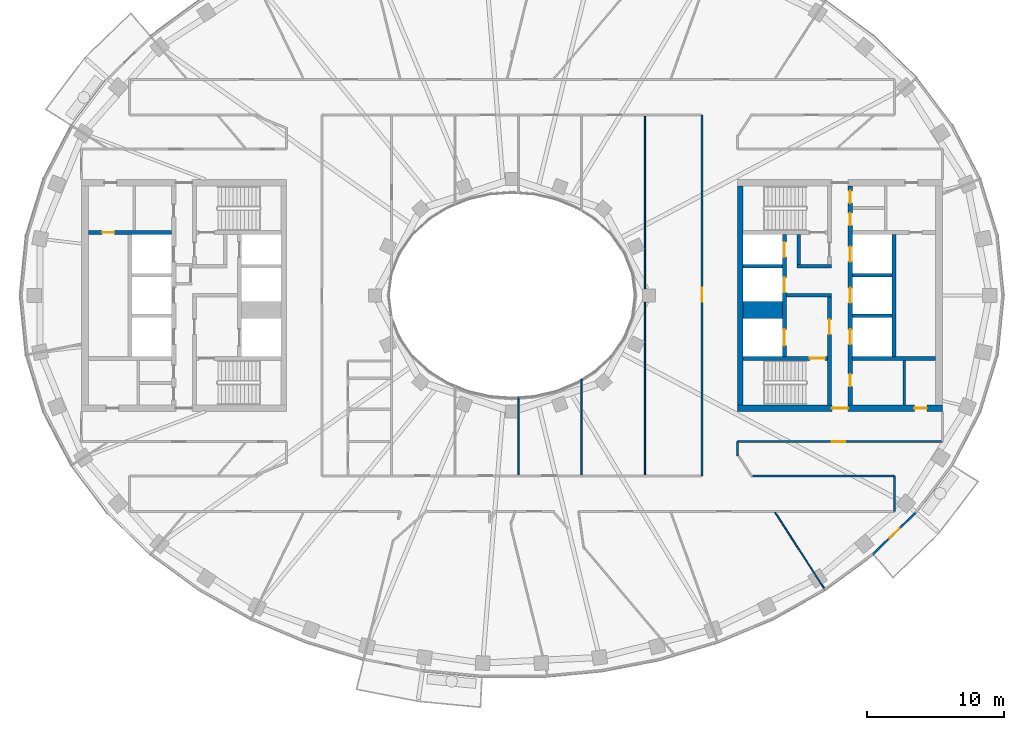
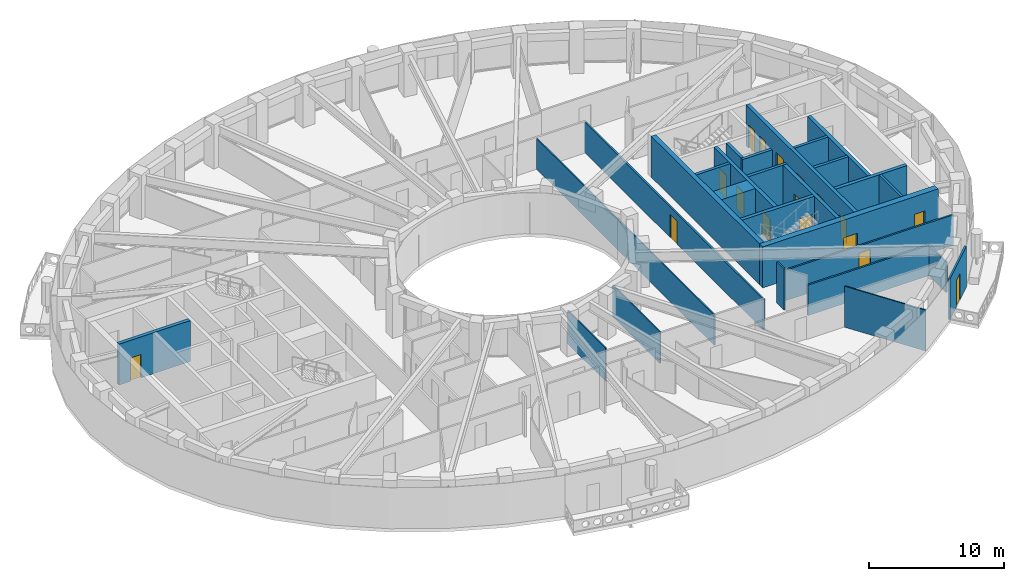
# One storey, part 5 of 16: 27 walls, 17 doors, 17 openings.
"""IFC4 building model written with IfcOpenShell, lengths in metres."""

from ifc_helpers import new_model, si_unit, direction, frame, frame_2d, origin, place, context, subcontext, project, spatial, rectangle, extrude, material, layer, layer_set, type_object, element, fill, save


model = new_model("IFC4")

# Units and contexts
model_context = context("Model", 3, precision=1e-05, world=origin(), true_north=direction((0.0, 1.0)))
body_context = subcontext(model_context, "Body", "Model", "MODEL_VIEW")
ifc_project = project(units=[si_unit("LENGTHUNIT", "METRE"), si_unit("AREAUNIT", "SQUARE_METRE"), si_unit("VOLUMEUNIT", "CUBIC_METRE"), si_unit("PLANEANGLEUNIT", "RADIAN"), si_unit("MASSUNIT", "GRAM", prefix="KILO")], contexts=[model_context])

# Site, building, storey
site_placement = place(None, origin())
site = spatial("IfcSite", under=ifc_project, at=site_placement, CompositionType="ELEMENT")
building_placement = place(site_placement, origin())
building = spatial("IfcBuilding", under=site, at=building_placement, Name="Noorbagh Ring Tower", CompositionType="ELEMENT")
storey_placement = place(building_placement, frame((0.0, 0.0, 273.5)))
storey = spatial("IfcBuildingStorey", under=building, at=storey_placement, Name="L58", CompositionType="ELEMENT", Elevation=273.5)

# Walls
ifc_material_1 = material(Name="Gypsum board on steel studs", Category="steel")
ifc_layer_1 = layer(ifc_material_1, 0.199951171875)
ifc_layer_set_1 = layer_set([ifc_layer_1], Name="Gypsum board on steel studs")
wall_type_1 = type_object("IfcWallType", Name="CORE-PARTITION-200", PredefinedType="PARTITIONING", material=ifc_layer_set_1)
wall_1_placement = place(storey_placement, frame((28.699951171875, -8.0, 0.0), z_axis=(0.0, 0.0, 1.0), x_axis=(0.0, 1.0, 0.0)))
element("IfcWall", 1, at=wall_1_placement, inside=storey, type_object=wall_type_1, Name="Core partition E", PredefinedType="PARTITIONING", context=body_context, shape_type="SweptSolid", body=[
    extrude(rectangle(XDim=3.25, YDim=0.199951171875, at=frame_2d((1.625, 0.0))), origin(), (0.0, 0.0, 1.0), 3.699951171875),
])
ifc_material_2 = material(Name="Concrete C60/75", Category="concrete")
ifc_layer_2 = layer(ifc_material_2, 1.25)
ifc_layer_set_2 = layer_set([ifc_layer_2], Name="Concrete C60/75")
wall_type_2 = type_object("IfcWallType", Name="CORE-WALL-1250-C60-75-EI120", PredefinedType="SHEAR", material=ifc_layer_set_2)
wall_2_placement = place(storey_placement, frame((16.89990234375, -1.074951171875, 0.0), z_axis=(0.0, 0.0, 1.0), x_axis=(1.0, 0.0, 0.0)))
element("IfcWall", 2, at=wall_2_placement, inside=storey, type_object=wall_type_2, Name="Core wall E", PredefinedType="SHEAR", context=body_context, shape_type="SweptSolid", body=[
    extrude(rectangle(XDim=2.900146484375, YDim=1.25, at=frame_2d((1.4501953125, 0.0))), origin(), (0.0, 0.0, 1.0), 3.699951171875),
])
ifc_material_3 = material(Name="Concrete C60/75", Category="concrete")
ifc_layer_3 = layer(ifc_material_3, 0.25)
ifc_layer_set_3 = layer_set([ifc_layer_3], Name="Concrete C60/75")
wall_type_3 = type_object("IfcWallType", Name="CORE-WALL-250-C60-75-EI120", PredefinedType="SHEAR", material=ifc_layer_set_3)
for number, where, z_axis, x_axis, name in (
    (3, (16.89990234375, 2.125, 0.0), (0.0, 0.0, 1.0), (1.0, 0.0, 0.0), "Core wall E"),
    (4, (24.89990234375, -1.47509765625, 0.0), (0.0, 0.0, 1.0), (1.0, 0.0, 0.0), "Core wall E"),
    (5, (24.89990234375, 1.47509765625, 0.0), (0.0, 0.0, 1.0), (1.0, 0.0, 0.0), "Core wall E"),
):
    element("IfcWall", number, at=place(storey_placement, frame(where, z_axis=z_axis, x_axis=x_axis)), inside=storey, type_object=wall_type_3, Name=name, PredefinedType="SHEAR", context=body_context, shape_type="SweptSolid", body=[
        extrude(rectangle(XDim=2.900146484375, YDim=0.25, at=frame_2d((1.4501953125, 0.0))), origin(), (0.0, 0.0, 1.0), 3.699951171875),
    ])
ifc_material_4 = material(Name="Concrete C60/75", Category="concrete")
ifc_layer_4 = layer(ifc_material_4, 0.25)
ifc_layer_set_4 = layer_set([ifc_layer_4], Name="Concrete C60/75")
wall_type_4 = type_object("IfcWallType", Name="CORE-WALL-250-C60-75-EI240", PredefinedType="SHEAR", material=ifc_layer_set_4)
wall_3_placement = place(storey_placement, frame((20.10009765625, 0.0, 0.0), z_axis=(0.0, 0.0, 1.0), x_axis=(1.0, 0.0, 0.0)))
element("IfcWall", 6, at=wall_3_placement, inside=storey, type_object=wall_type_4, Name="Core wall E", PredefinedType="SHEAR", context=body_context, shape_type="SweptSolid", body=[
    extrude(rectangle(XDim=3.27978515625, YDim=0.25, at=frame_2d((1.639892578125, 0.0))), origin(), (0.0, 0.0, 1.0), 3.699951171875),
])
wall_4_placement = place(storey_placement, frame((20.85009765625, 2.125, 0.0), z_axis=(0.0, 0.0, 1.0), x_axis=(1.0, 0.0, 0.0)))
element("IfcWall", 7, at=wall_4_placement, inside=storey, type_object=wall_type_4, Name="Core wall E", PredefinedType="SHEAR", context=body_context, shape_type="SweptSolid", body=[
    extrude(rectangle(XDim=2.52978515625, YDim=0.25, at=frame_2d((1.264892578125, 0.0))), origin(), (0.0, 0.0, 1.0), 3.699951171875),
])
wall_5_placement = place(storey_placement, frame((20.97509765625, 2.25, 0.0), z_axis=(0.0, 0.0, 1.0), x_axis=(0.0, 1.0, 0.0)))
element("IfcWall", 8, at=wall_5_placement, inside=storey, type_object=wall_type_4, Name="Core wall E", PredefinedType="SHEAR", context=body_context, shape_type="SweptSolid", body=[
    extrude(rectangle(XDim=2.199951171875, YDim=0.25, at=frame_2d((1.10009765625, 0.0))), origin(), (0.0, 0.0, 1.0), 3.699951171875),
])
ifc_material_5 = material(Name="Concrete C60/75", Category="concrete")
ifc_layer_5 = layer(ifc_material_5, 0.300048828125)
ifc_layer_set_5 = layer_set([ifc_layer_5], Name="Concrete C60/75")
wall_type_5 = type_object("IfcWallType", Name="CORE-WALL-300-C60-75-EI120", PredefinedType="SHEAR", material=ifc_layer_set_5)
wall_6_placement = place(storey_placement, frame((27.949951171875, -4.449951171875, 0.0), z_axis=(0.0, 0.0, 1.0), x_axis=(0.0, 1.0, 0.0)))
element("IfcWall", 9, at=wall_6_placement, inside=storey, type_object=wall_type_5, Name="Core wall E", PredefinedType="SHEAR", context=body_context, shape_type="SweptSolid", body=[
    extrude(rectangle(XDim=8.89990234375, YDim=0.300048828125, at=frame_2d((4.449951171875, 0.0))), origin(), (0.0, 0.0, 1.0), 3.699951171875),
])

# Wall, openings, doors
wall_7_placement = place(storey_placement, frame((19.949951171875, -4.449951171875, 0.0), z_axis=(0.0, 0.0, 1.0), x_axis=(0.0, 1.0, 0.0)))
wall_7 = element("IfcWall", 10, at=wall_7_placement, inside=storey, type_object=wall_type_5, Name="Core wall E", PredefinedType="SHEAR", context=body_context, shape_type="SweptSolid", body=[
    extrude(rectangle(XDim=8.89990234375, YDim=0.300048828125, at=frame_2d((4.449951171875, 0.0))), origin(), (0.0, 0.0, 1.0), 3.699951171875),
])
opening_1_placement = place(wall_7_placement, frame((0.77490234375, 0.0, 0.0)))
opening_1 = element("IfcOpeningElement", 11, at=opening_1_placement, cuts=wall_7, Name="Opening L58-CE01", PredefinedType="OPENING", context=body_context, shape_type="SweptSolid", body=[
    extrude(rectangle(XDim=1.199951171875, YDim=2.10009765625, at=frame_2d((0.60009765625, 1.050048828125))), frame((0.0, 0.16015625, 0.0), z_axis=(0.0, -1.0, 0.0), x_axis=(1.0, 0.0, 0.0)), (0.0, 0.0, 1.0), 0.320068359375),
])
opening_2_placement = place(wall_7_placement, frame((4.675048828125, 0.0, 0.0)))
opening_2 = element("IfcOpeningElement", 12, at=opening_2_placement, cuts=wall_7, Name="Opening L58-CE02", PredefinedType="OPENING", context=body_context, shape_type="SweptSolid", body=[
    extrude(rectangle(XDim=1.10009765625, YDim=2.10009765625, at=frame_2d((0.550048828125, 1.050048828125))), frame((0.0, 0.16015625, 0.0), z_axis=(0.0, -1.0, 0.0), x_axis=(1.0, 0.0, 0.0)), (0.0, 0.0, 1.0), 0.320068359375),
])
opening_3_placement = place(wall_7_placement, frame((7.25, 0.0, 0.0)))
opening_3 = element("IfcOpeningElement", 13, at=opening_3_placement, cuts=wall_7, Name="Opening L58-CE03", PredefinedType="OPENING", context=body_context, shape_type="SweptSolid", body=[
    extrude(rectangle(XDim=1.10009765625, YDim=2.10009765625, at=frame_2d((0.550048828125, 1.050048828125))), frame((0.0, 0.16015625, 0.0), z_axis=(0.0, -1.0, 0.0), x_axis=(1.0, 0.0, 0.0)), (0.0, 0.0, 1.0), 0.320068359375),
])
ifc_material_6 = material(Name="Steel door leaf", Category="steel")
door_type_1 = type_object("IfcDoorType", Name="CORE-DOOR-LD", OperationType="DOUBLE_DOOR_SLIDING", PredefinedType="DOOR", material=ifc_material_6)
door_1_placement = place(opening_2_placement, origin())
door_1 = element("IfcDoor", 14, at=door_1_placement, inside=storey, type_object=door_type_1, Name="Landing door HR7 L58-CE02", OperationType="DOUBLE_DOOR_SLIDING", OverallHeight=2.10009765625, OverallWidth=1.10009765625, PredefinedType="DOOR", context=body_context, shape_type="SweptSolid", body=[
    extrude(rectangle(XDim=1.10009765625, YDim=2.10009765625, at=frame_2d((0.550048828125, 1.050048828125))), frame((0.0, 0.02490234375, 0.0), z_axis=(0.0, -1.0, 0.0), x_axis=(1.0, 0.0, 0.0)), (0.0, 0.0, 1.0), 0.050048828125),
])
fill(opening_2, door_1)
door_2_placement = place(opening_3_placement, origin())
door_2 = element("IfcDoor", 15, at=door_2_placement, inside=storey, type_object=door_type_1, Name="Landing door HR8 L58-CE03", OperationType="DOUBLE_DOOR_SLIDING", OverallHeight=2.10009765625, OverallWidth=1.10009765625, PredefinedType="DOOR", context=body_context, shape_type="SweptSolid", body=[
    extrude(rectangle(XDim=1.10009765625, YDim=2.10009765625, at=frame_2d((0.550048828125, 1.050048828125))), frame((0.0, 0.02490234375, 0.0), z_axis=(0.0, -1.0, 0.0), x_axis=(1.0, 0.0, 0.0)), (0.0, 0.0, 1.0), 0.050048828125),
])
fill(opening_3, door_2)
ifc_material_7 = material(Name="Steel door leaf", Category="steel")
door_type_2 = type_object("IfcDoorType", Name="CORE-DOOR-LDW", OperationType="DOUBLE_DOOR_SLIDING", PredefinedType="DOOR", material=ifc_material_7)
door_3_placement = place(opening_1_placement, origin())
door_3 = element("IfcDoor", 16, at=door_3_placement, inside=storey, type_object=door_type_2, Name="Landing door FF2 L58-CE01", OperationType="DOUBLE_DOOR_SLIDING", OverallHeight=2.10009765625, OverallWidth=1.199951171875, PredefinedType="DOOR", context=body_context, shape_type="SweptSolid", body=[
    extrude(rectangle(XDim=1.199951171875, YDim=2.10009765625, at=frame_2d((0.60009765625, 1.050048828125))), frame((0.0, 0.02490234375, 0.0), z_axis=(0.0, -1.0, 0.0), x_axis=(1.0, 0.0, 0.0)), (0.0, 0.0, 1.0), 0.050048828125),
])
fill(opening_1, door_3)

wall_8_placement = place(storey_placement, frame((24.75, -8.0, 0.0), z_axis=(0.0, 0.0, 1.0), x_axis=(0.0, 1.0, 0.0)))
wall_8 = element("IfcWall", 17, at=wall_8_placement, inside=storey, type_object=wall_type_5, Name="Core wall E", PredefinedType="SHEAR", context=body_context, shape_type="SweptSolid", body=[
    extrude(rectangle(XDim=16.0, YDim=0.300048828125, at=frame_2d((8.0, 0.0))), origin(), (0.0, 0.0, 1.0), 3.699951171875),
])
opening_4_placement = place(wall_8_placement, frame((4.425048828125, 0.0, 0.0)))
opening_4 = element("IfcOpeningElement", 18, at=opening_4_placement, cuts=wall_8, Name="Opening L58-CE04", PredefinedType="OPENING", context=body_context, shape_type="SweptSolid", body=[
    extrude(rectangle(XDim=1.10009765625, YDim=2.10009765625, at=frame_2d((0.550048828125, 1.050048828125))), frame((0.0, 0.16015625, 0.0), z_axis=(0.0, -1.0, 0.0), x_axis=(1.0, 0.0, 0.0)), (0.0, 0.0, 1.0), 0.320068359375),
])
opening_5_placement = place(wall_8_placement, frame((7.449951171875, 0.0, 0.0)))
opening_5 = element("IfcOpeningElement", 19, at=opening_5_placement, cuts=wall_8, Name="Opening L58-CE05", PredefinedType="OPENING", context=body_context, shape_type="SweptSolid", body=[
    extrude(rectangle(XDim=1.10009765625, YDim=2.10009765625, at=frame_2d((0.550048828125, 1.050048828125))), frame((0.0, 0.16015625, 0.0), z_axis=(0.0, -1.0, 0.0), x_axis=(1.0, 0.0, 0.0)), (0.0, 0.0, 1.0), 0.320068359375),
])
opening_6_placement = place(wall_8_placement, frame((10.47509765625, 0.0, 0.0)))
opening_6 = element("IfcOpeningElement", 20, at=opening_6_placement, cuts=wall_8, Name="Opening L58-CE06", PredefinedType="OPENING", context=body_context, shape_type="SweptSolid", body=[
    extrude(rectangle(XDim=1.10009765625, YDim=2.10009765625, at=frame_2d((0.550048828125, 1.050048828125))), frame((0.0, 0.16015625, 0.0), z_axis=(0.0, -1.0, 0.0), x_axis=(1.0, 0.0, 0.0)), (0.0, 0.0, 1.0), 0.320068359375),
])
opening_7_placement = place(wall_8_placement, frame((13.125, 0.0, 0.0)))
opening_7 = element("IfcOpeningElement", 21, at=opening_7_placement, cuts=wall_8, Name="Opening L58-CE13", PredefinedType="OPENING", context=body_context, shape_type="SweptSolid", body=[
    extrude(rectangle(XDim=0.89990234375, YDim=2.10009765625, at=frame_2d((0.449951171875, 1.050048828125))), frame((0.0, 0.16015625, 0.0), z_axis=(0.0, -1.0, 0.0), x_axis=(1.0, 0.0, 0.0)), (0.0, 0.0, 1.0), 0.320068359375),
])
opening_8_placement = place(wall_8_placement, frame((14.75, 0.0, 0.0)))
opening_8 = element("IfcOpeningElement", 22, at=opening_8_placement, cuts=wall_8, Name="Opening L58-CE14", PredefinedType="OPENING", context=body_context, shape_type="SweptSolid", body=[
    extrude(rectangle(XDim=0.89990234375, YDim=2.10009765625, at=frame_2d((0.449951171875, 1.050048828125))), frame((0.0, 0.16015625, 0.0), z_axis=(0.0, -1.0, 0.0), x_axis=(1.0, 0.0, 0.0)), (0.0, 0.0, 1.0), 0.320068359375),
])
opening_9_placement = place(wall_8_placement, frame((1.35009765625, 0.0, 0.0)))
opening_9 = element("IfcOpeningElement", 23, at=opening_9_placement, cuts=wall_8, Name="Opening L58-CE16", PredefinedType="OPENING", context=body_context, shape_type="SweptSolid", body=[
    extrude(rectangle(XDim=0.89990234375, YDim=2.10009765625, at=frame_2d((0.449951171875, 1.050048828125))), frame((0.0, 0.16015625, 0.0), z_axis=(0.0, -1.0, 0.0), x_axis=(1.0, 0.0, 0.0)), (0.0, 0.0, 1.0), 0.320068359375),
])
ifc_material_8 = material(Name="Steel door leaf", Category="steel")
door_type_3 = type_object("IfcDoorType", Name="CORE-DOOR-DROOM", OperationType="SINGLE_SWING_LEFT", PredefinedType="DOOR", material=ifc_material_8)
door_4_placement = place(opening_7_placement, origin())
door_4 = element("IfcDoor", 24, at=door_4_placement, inside=storey, type_object=door_type_3, Name="Core room door L58-CE13", OperationType="SINGLE_SWING_RIGHT", OverallHeight=2.10009765625, OverallWidth=0.89990234375, PredefinedType="DOOR", context=body_context, shape_type="SweptSolid", body=[
    extrude(rectangle(XDim=0.89990234375, YDim=2.10009765625, at=frame_2d((0.449951171875, 1.050048828125))), frame((0.0, 0.02490234375, 0.0), z_axis=(0.0, -1.0, 0.0), x_axis=(1.0, 0.0, 0.0)), (0.0, 0.0, 1.0), 0.050048828125),
])
fill(opening_7, door_4)
door_5_placement = place(opening_8_placement, origin())
door_5 = element("IfcDoor", 25, at=door_5_placement, inside=storey, type_object=door_type_3, Name="Core room door L58-CE14", OperationType="SINGLE_SWING_LEFT", OverallHeight=2.10009765625, OverallWidth=0.89990234375, PredefinedType="DOOR", context=body_context, shape_type="SweptSolid", body=[
    extrude(rectangle(XDim=0.89990234375, YDim=2.10009765625, at=frame_2d((0.449951171875, 1.050048828125))), frame((0.0, 0.02490234375, 0.0), z_axis=(0.0, -1.0, 0.0), x_axis=(1.0, 0.0, 0.0)), (0.0, 0.0, 1.0), 0.050048828125),
])
fill(opening_8, door_5)
door_6_placement = place(opening_9_placement, origin())
door_6 = element("IfcDoor", 26, at=door_6_placement, inside=storey, type_object=door_type_3, Name="Core room door L58-CE16", OperationType="SINGLE_SWING_RIGHT", OverallHeight=2.10009765625, OverallWidth=0.89990234375, PredefinedType="DOOR", context=body_context, shape_type="SweptSolid", body=[
    extrude(rectangle(XDim=0.89990234375, YDim=2.10009765625, at=frame_2d((0.449951171875, 1.050048828125))), frame((0.0, 0.02490234375, 0.0), z_axis=(0.0, -1.0, 0.0), x_axis=(1.0, 0.0, 0.0)), (0.0, 0.0, 1.0), 0.050048828125),
])
fill(opening_9, door_6)
door_7_placement = place(opening_4_placement, origin())
door_7 = element("IfcDoor", 27, at=door_7_placement, inside=storey, type_object=door_type_1, Name="Landing door HR9 L58-CE04", OperationType="DOUBLE_DOOR_SLIDING", OverallHeight=2.10009765625, OverallWidth=1.10009765625, PredefinedType="DOOR", context=body_context, shape_type="SweptSolid", body=[
    extrude(rectangle(XDim=1.10009765625, YDim=2.10009765625, at=frame_2d((0.550048828125, 1.050048828125))), frame((0.0, 0.02490234375, 0.0), z_axis=(0.0, -1.0, 0.0), x_axis=(1.0, 0.0, 0.0)), (0.0, 0.0, 1.0), 0.050048828125),
])
fill(opening_4, door_7)
door_8_placement = place(opening_5_placement, origin())
door_8 = element("IfcDoor", 28, at=door_8_placement, inside=storey, type_object=door_type_1, Name="Landing door HR10 L58-CE05", OperationType="DOUBLE_DOOR_SLIDING", OverallHeight=2.10009765625, OverallWidth=1.10009765625, PredefinedType="DOOR", context=body_context, shape_type="SweptSolid", body=[
    extrude(rectangle(XDim=1.10009765625, YDim=2.10009765625, at=frame_2d((0.550048828125, 1.050048828125))), frame((0.0, 0.02490234375, 0.0), z_axis=(0.0, -1.0, 0.0), x_axis=(1.0, 0.0, 0.0)), (0.0, 0.0, 1.0), 0.050048828125),
])
fill(opening_5, door_8)
door_9_placement = place(opening_6_placement, origin())
door_9 = element("IfcDoor", 29, at=door_9_placement, inside=storey, type_object=door_type_1, Name="Landing door HR11 L58-CE06", OperationType="DOUBLE_DOOR_SLIDING", OverallHeight=2.10009765625, OverallWidth=1.10009765625, PredefinedType="DOOR", context=body_context, shape_type="SweptSolid", body=[
    extrude(rectangle(XDim=1.10009765625, YDim=2.10009765625, at=frame_2d((0.550048828125, 1.050048828125))), frame((0.0, 0.02490234375, 0.0), z_axis=(0.0, -1.0, 0.0), x_axis=(1.0, 0.0, 0.0)), (0.0, 0.0, 1.0), 0.050048828125),
])
fill(opening_6, door_9)

# Wall, opening, door
ifc_material_9 = material(Name="Concrete C60/75", Category="concrete")
ifc_layer_6 = layer(ifc_material_9, 0.300048828125)
ifc_layer_set_6 = layer_set([ifc_layer_6], Name="Concrete C60/75")
wall_type_6 = type_object("IfcWallType", Name="CORE-WALL-300-C60-75-EI240", PredefinedType="SHEAR", material=ifc_layer_set_6)
wall_9_placement = place(storey_placement, frame((-24.89990234375, 4.60009765625, 0.0), z_axis=(0.0, 0.0, 1.0), x_axis=(-1.0, 0.0, 0.0)))
wall_9 = element("IfcWall", 30, at=wall_9_placement, inside=storey, type_object=wall_type_6, Name="Core wall W", PredefinedType="SHEAR", context=body_context, shape_type="SweptSolid", body=[
    extrude(rectangle(XDim=6.10009765625, YDim=0.300048828125, at=frame_2d((3.050048828125, 0.0))), origin(), (0.0, 0.0, 1.0), 3.699951171875),
])
opening_10_placement = place(wall_9_placement, frame((4.199951171875, 0.0, 0.0)))
opening_10 = element("IfcOpeningElement", 31, at=opening_10_placement, cuts=wall_9, Name="Opening L58-CW18", PredefinedType="OPENING", context=body_context, shape_type="SweptSolid", body=[
    extrude(rectangle(XDim=0.89990234375, YDim=2.10009765625, at=frame_2d((0.449951171875, 1.050048828125))), frame((0.0, 0.16015625, 0.0), z_axis=(0.0, -1.0, 0.0), x_axis=(1.0, 0.0, 0.0)), (0.0, 0.0, 1.0), 0.320068359375),
])
door_10_placement = place(opening_10_placement, origin())
door_10 = element("IfcDoor", 32, at=door_10_placement, inside=storey, type_object=door_type_3, Name="Core room door L58-CW18", OperationType="SINGLE_SWING_LEFT", OverallHeight=2.10009765625, OverallWidth=0.89990234375, PredefinedType="DOOR", context=body_context, shape_type="SweptSolid", body=[
    extrude(rectangle(XDim=0.89990234375, YDim=2.10009765625, at=frame_2d((0.449951171875, 1.050048828125))), frame((0.0, 0.02490234375, 0.0), z_axis=(0.0, -1.0, 0.0), x_axis=(1.0, 0.0, 0.0)), (0.0, 0.0, 1.0), 0.050048828125),
])
fill(opening_10, door_10)

# Wall
wall_10_placement = place(storey_placement, frame((24.89990234375, -4.60009765625, 0.0), z_axis=(0.0, 0.0, 1.0), x_axis=(1.0, 0.0, 0.0)))
element("IfcWall", 33, at=wall_10_placement, inside=storey, type_object=wall_type_6, Name="Core wall E", PredefinedType="SHEAR", context=body_context, shape_type="SweptSolid", body=[
    extrude(rectangle(XDim=6.10009765625, YDim=0.300048828125, at=frame_2d((3.050048828125, 0.0))), origin(), (0.0, 0.0, 1.0), 3.699951171875),
])

# Wall, opening, door
wall_11_placement = place(storey_placement, frame((23.22998046875, -8.0, 0.0), z_axis=(0.0, 0.0, 1.0), x_axis=(0.0, 1.0, 0.0)))
wall_11 = element("IfcWall", 34, at=wall_11_placement, inside=storey, type_object=wall_type_6, Name="Core wall E", PredefinedType="SHEAR", context=body_context, shape_type="SweptSolid", body=[
    extrude(rectangle(XDim=7.875, YDim=0.300048828125, at=frame_2d((3.9375, 0.0))), origin(), (0.0, 0.0, 1.0), 3.699951171875),
])
opening_11_placement = place(wall_11_placement, frame((5.14990234375, 0.0, 0.0)))
opening_11 = element("IfcOpeningElement", 35, at=opening_11_placement, cuts=wall_11, Name="Opening L58-CE09", PredefinedType="OPENING", context=body_context, shape_type="SweptSolid", body=[
    extrude(rectangle(XDim=1.10009765625, YDim=2.10009765625, at=frame_2d((0.550048828125, 1.050048828125))), frame((0.0, 0.16015625, 0.0), z_axis=(0.0, -1.0, 0.0), x_axis=(1.0, 0.0, 0.0)), (0.0, 0.0, 1.0), 0.320068359375),
])
ifc_material_10 = material(Name="Steel door leaf", Category="steel")
door_type_4 = type_object("IfcDoorType", Name="CORE-DOOR-DFF", OperationType="SINGLE_SWING_LEFT", PredefinedType="DOOR", material=ifc_material_10)
door_11_placement = place(opening_11_placement, origin())
door_11 = element("IfcDoor", 36, at=door_11_placement, inside=storey, type_object=door_type_4, Name="Firefighting lobby door L58-CE09", OperationType="SINGLE_SWING_RIGHT", OverallHeight=2.10009765625, OverallWidth=1.10009765625, PredefinedType="DOOR", context=body_context, shape_type="SweptSolid", body=[
    extrude(rectangle(XDim=1.10009765625, YDim=2.10009765625, at=frame_2d((0.550048828125, 1.050048828125))), frame((0.0, 0.02490234375, 0.0), z_axis=(0.0, -1.0, 0.0), x_axis=(1.0, 0.0, 0.0)), (0.0, 0.0, 1.0), 0.050048828125),
])
fill(opening_11, door_11)

wall_12_placement = place(storey_placement, frame((16.89990234375, -4.60009765625, 0.0), z_axis=(0.0, 0.0, 1.0), x_axis=(1.0, 0.0, 0.0)))
wall_12 = element("IfcWall", 37, at=wall_12_placement, inside=storey, type_object=wall_type_6, Name="Core wall E", PredefinedType="SHEAR", context=body_context, shape_type="SweptSolid", body=[
    extrude(rectangle(XDim=6.18017578125, YDim=0.300048828125, at=frame_2d((3.090087890625, 0.0))), origin(), (0.0, 0.0, 1.0), 3.699951171875),
])
opening_12_placement = place(wall_12_placement, frame((4.89990234375, 0.0, 0.0)))
opening_12 = element("IfcOpeningElement", 38, at=opening_12_placement, cuts=wall_12, Name="Opening L58-CE08", PredefinedType="OPENING", context=body_context, shape_type="SweptSolid", body=[
    extrude(rectangle(XDim=1.10009765625, YDim=2.10009765625, at=frame_2d((0.550048828125, 1.050048828125))), frame((0.0, 0.16015625, 0.0), z_axis=(0.0, -1.0, 0.0), x_axis=(1.0, 0.0, 0.0)), (0.0, 0.0, 1.0), 0.320068359375),
])
ifc_material_11 = material(Name="Steel door leaf", Category="steel")
door_type_5 = type_object("IfcDoorType", Name="CORE-DOOR-DSTAIR", OperationType="SINGLE_SWING_LEFT", PredefinedType="DOOR", material=ifc_material_11)
door_12_placement = place(opening_12_placement, origin())
door_12 = element("IfcDoor", 39, at=door_12_placement, inside=storey, type_object=door_type_5, Name="Stair door ST4 L58-CE08", OperationType="SINGLE_SWING_RIGHT", OverallHeight=2.10009765625, OverallWidth=1.10009765625, PredefinedType="DOOR", context=body_context, shape_type="SweptSolid", body=[
    extrude(rectangle(XDim=1.10009765625, YDim=2.10009765625, at=frame_2d((0.550048828125, 1.050048828125))), frame((0.0, 0.02490234375, 0.0), z_axis=(0.0, -1.0, 0.0), x_axis=(1.0, 0.0, 0.0)), (0.0, 0.0, 1.0), 0.050048828125),
])
fill(opening_12, door_12)

# Wall
ifc_material_12 = material(Name="Concrete C60/75", Category="concrete")
ifc_layer_7 = layer(ifc_material_12, 0.39990234375)
ifc_layer_set_7 = layer_set([ifc_layer_7], Name="Concrete C60/75")
wall_type_7 = type_object("IfcWallType", Name="CORE-WALL-400-C60-75-EI240", PredefinedType="SHEAR", material=ifc_layer_set_7)
wall_13_placement = place(storey_placement, frame((16.699951171875, -8.0, 0.0), z_axis=(0.0, 0.0, 1.0), x_axis=(0.0, 1.0, 0.0)))
element("IfcWall", 40, at=wall_13_placement, inside=storey, type_object=wall_type_7, Name="Core wall E", PredefinedType="SHEAR", context=body_context, shape_type="SweptSolid", body=[
    extrude(rectangle(XDim=16.0, YDim=0.39990234375, at=frame_2d((8.0, 0.0))), origin(), (0.0, 0.0, 1.0), 3.699951171875),
])

# Wall, openings, doors
ifc_material_13 = material(Name="Concrete C60/75", Category="concrete")
ifc_layer_8 = layer(ifc_material_13, 0.5)
ifc_layer_set_8 = layer_set([ifc_layer_8], Name="Concrete C60/75")
wall_type_8 = type_object("IfcWallType", Name="CORE-WALL-500-C60-75-EI240", PredefinedType="SHEAR", material=ifc_layer_set_8)
wall_14_placement = place(storey_placement, frame((16.5, -8.25, 0.0), z_axis=(0.0, 0.0, 1.0), x_axis=(1.0, 0.0, 0.0)))
wall_14 = element("IfcWall", 41, at=wall_14_placement, inside=storey, type_object=wall_type_8, Name="Core wall E", PredefinedType="SHEAR", context=body_context, shape_type="SweptSolid", body=[
    extrude(rectangle(XDim=15.0, YDim=0.5, at=frame_2d((7.5, 0.0))), origin(), (0.0, 0.0, 1.0), 3.699951171875),
])
opening_13_placement = place(wall_14_placement, frame((6.89990234375, 0.0, 0.0)))
opening_13 = element("IfcOpeningElement", 42, at=opening_13_placement, cuts=wall_14, Name="Opening L58-CE12", PredefinedType="OPENING", context=body_context, shape_type="SweptSolid", body=[
    extrude(rectangle(XDim=1.199951171875, YDim=2.10009765625, at=frame_2d((0.60009765625, 1.050048828125))), frame((0.0, 0.260009765625, 0.0), z_axis=(0.0, -1.0, 0.0), x_axis=(1.0, 0.0, 0.0)), (0.0, 0.0, 1.0), 0.52001953125),
])
opening_14_placement = place(wall_14_placement, frame((12.949951171875, 0.0, 0.0)))
opening_14 = element("IfcOpeningElement", 43, at=opening_14_placement, cuts=wall_14, Name="Opening L58-CE17", PredefinedType="OPENING", context=body_context, shape_type="SweptSolid", body=[
    extrude(rectangle(XDim=0.89990234375, YDim=2.10009765625, at=frame_2d((0.449951171875, 1.050048828125))), frame((0.0, 0.260009765625, 0.0), z_axis=(0.0, -1.0, 0.0), x_axis=(1.0, 0.0, 0.0)), (0.0, 0.0, 1.0), 0.52001953125),
])
door_13_placement = place(opening_14_placement, origin())
door_13 = element("IfcDoor", 44, at=door_13_placement, inside=storey, type_object=door_type_3, Name="Core room door L58-CE17", OperationType="SINGLE_SWING_RIGHT", OverallHeight=2.10009765625, OverallWidth=0.89990234375, PredefinedType="DOOR", context=body_context, shape_type="SweptSolid", body=[
    extrude(rectangle(XDim=0.89990234375, YDim=2.10009765625, at=frame_2d((0.449951171875, 1.050048828125))), frame((0.0, 0.02490234375, 0.0), z_axis=(0.0, -1.0, 0.0), x_axis=(1.0, 0.0, 0.0)), (0.0, 0.0, 1.0), 0.050048828125),
])
fill(opening_14, door_13)
ifc_material_14 = material(Name="Steel door leaf", Category="steel")
door_type_6 = type_object("IfcDoorType", Name="CORE-DOOR-PORT", OperationType="DOUBLE_DOOR_DOUBLE_SWING", PredefinedType="DOOR", material=ifc_material_14)
door_14_placement = place(opening_13_placement, origin())
door_14 = element("IfcDoor", 45, at=door_14_placement, inside=storey, type_object=door_type_6, Name="Core entrance door L58-CE12", OperationType="DOUBLE_DOOR_DOUBLE_SWING", OverallHeight=2.10009765625, OverallWidth=1.199951171875, PredefinedType="DOOR", context=body_context, shape_type="SweptSolid", body=[
    extrude(rectangle(XDim=1.199951171875, YDim=2.10009765625, at=frame_2d((0.60009765625, 1.050048828125))), frame((0.0, 0.02490234375, 0.0), z_axis=(0.0, -1.0, 0.0), x_axis=(1.0, 0.0, 0.0)), (0.0, 0.0, 1.0), 0.050048828125),
])
fill(opening_13, door_14)

# Wall, opening, door
ifc_material_15 = material(Name="Gypsum board on steel studs", Category="steel")
ifc_layer_9 = layer(ifc_material_15, 0.14990234375)
ifc_layer_set_9 = layer_set([ifc_layer_9], Name="Gypsum board on steel studs")
wall_type_9 = type_object("IfcWallType", Name="CORRIDOR PARTITION 150 EI 30", PredefinedType="PARTITIONING", material=ifc_layer_set_9)
wall_15_placement = place(storey_placement, frame((13.89990234375, -13.199951171875, 0.0), z_axis=(0.0, 0.0, 1.0), x_axis=(0.0, 1.0, 0.0)))
wall_15 = element("IfcWall", 46, at=wall_15_placement, inside=storey, type_object=wall_type_9, Name="L58/wall/P69", PredefinedType="PARTITIONING", context=body_context, shape_type="SweptSolid", body=[
    extrude(rectangle(XDim=26.39990234375, YDim=0.14990234375, at=frame_2d((13.199951171875, 0.0))), origin(), (0.0, 0.0, 1.0), 2.75),
])
opening_15_placement = place(wall_15_placement, frame((12.75, 0.0, 0.0)))
opening_15 = element("IfcOpeningElement", 47, at=opening_15_placement, cuts=wall_15, Name="Opening D1", PredefinedType="OPENING", context=body_context, shape_type="SweptSolid", body=[
    extrude(rectangle(XDim=1.0, YDim=2.10009765625, at=frame_2d((0.5, 1.050048828125))), frame((0.0, 0.0849609375, 0.0), z_axis=(0.0, -1.0, 0.0), x_axis=(1.0, 0.0, 0.0)), (0.0, 0.0, 1.0), 0.169921875),
])
ifc_material_16 = material(Name="Timber, painted", Category="wood")
door_type_7 = type_object("IfcDoorType", Name="DOOR 1000 X 2100 FD30", OperationType="SINGLE_SWING_LEFT", PredefinedType="DOOR", material=ifc_material_16)
door_15_placement = place(opening_15_placement, origin())
door_15 = element("IfcDoor", 48, at=door_15_placement, inside=storey, type_object=door_type_7, Name="L58-D35", OperationType="SINGLE_SWING_LEFT", OverallHeight=2.10009765625, OverallWidth=1.0, PredefinedType="DOOR", context=body_context, shape_type="SweptSolid", body=[
    extrude(rectangle(XDim=1.0, YDim=2.10009765625, at=frame_2d((0.5, 1.050048828125))), frame((0.0, 0.02490234375, 0.0), z_axis=(0.0, -1.0, 0.0), x_axis=(1.0, 0.0, 0.0)), (0.0, 0.0, 1.0), 0.050048828125),
])
fill(opening_15, door_15)

# Wall
wall_16_placement = place(storey_placement, frame((16.5, -11.7548828125, 0.0), z_axis=(0.0, 0.0, 1.0), x_axis=(0.0, 1.0, 0.0)))
element("IfcWall", 49, at=wall_16_placement, inside=storey, type_object=wall_type_9, Name="L58/wall/P70", PredefinedType="PARTITIONING", context=body_context, shape_type="SweptSolid", body=[
    extrude(rectangle(XDim=1.054931640625, YDim=0.14990234375, at=frame_2d((0.52734375, 0.0))), origin(), (0.0, 0.0, 1.0), 3.699951171875),
])

# Wall, opening, door
wall_17_placement = place(storey_placement, frame((16.5, -10.699951171875, 0.0), z_axis=(0.0, 0.0, 1.0), x_axis=(1.0, 0.0, 0.0)))
wall_17 = element("IfcWall", 50, at=wall_17_placement, inside=storey, type_object=wall_type_9, Name="L58/wall/P72", PredefinedType="PARTITIONING", context=body_context, shape_type="SweptSolid", body=[
    extrude(rectangle(XDim=15.0, YDim=0.14990234375, at=frame_2d((7.5, 0.0))), origin(), (0.0, 0.0, 1.0), 2.75),
])
opening_16_placement = place(wall_17_placement, frame((6.89990234375, 0.0, 0.0)))
opening_16 = element("IfcOpeningElement", 51, at=opening_16_placement, cuts=wall_17, Name="Opening D1", PredefinedType="OPENING", context=body_context, shape_type="SweptSolid", body=[
    extrude(rectangle(XDim=1.0, YDim=2.10009765625, at=frame_2d((0.5, 1.050048828125))), frame((0.0, 0.0849609375, 0.0), z_axis=(0.0, -1.0, 0.0), x_axis=(1.0, 0.0, 0.0)), (0.0, 0.0, 1.0), 0.169921875),
])
door_16_placement = place(opening_16_placement, origin())
door_16 = element("IfcDoor", 52, at=door_16_placement, inside=storey, type_object=door_type_7, Name="L58-D24", OperationType="SINGLE_SWING_RIGHT", OverallHeight=2.10009765625, OverallWidth=1.0, PredefinedType="DOOR", context=body_context, shape_type="SweptSolid", body=[
    extrude(rectangle(XDim=1.0, YDim=2.10009765625, at=frame_2d((0.5, 1.050048828125))), frame((0.0, 0.02490234375, 0.0), z_axis=(0.0, -1.0, 0.0), x_axis=(1.0, 0.0, 0.0)), (0.0, 0.0, 1.0), 0.050048828125),
])
fill(opening_16, door_16)

# Walls
wall_18_placement = place(storey_placement, frame((17.610107421875, -13.199951171875, 0.0), z_axis=(0.0, 0.0, 1.0), x_axis=(1.0, 0.0, 0.0)))
element("IfcWall", 53, at=wall_18_placement, inside=storey, type_object=wall_type_9, Name="L58/wall/P76", PredefinedType="PARTITIONING", context=body_context, shape_type="SweptSolid", body=[
    extrude(rectangle(XDim=10.389892578125, YDim=0.14990234375, at=frame_2d((5.19482421875, 0.0))), origin(), (0.0, 0.0, 1.0), 2.75),
])
wall_19_placement = place(storey_placement, frame((28.0, -15.800048828125, 0.0), z_axis=(0.0, 0.0, 1.0), x_axis=(0.0, 1.0, 0.0)))
element("IfcWall", 54, at=wall_19_placement, inside=storey, type_object=wall_type_9, Name="L58/wall/P81", PredefinedType="PARTITIONING", context=body_context, shape_type="SweptSolid", body=[
    extrude(rectangle(XDim=2.60009765625, YDim=0.14990234375, at=frame_2d((1.300048828125, 0.0))), origin(), (0.0, 0.0, 1.0), 2.75),
])

# Wall, opening, door
ifc_material_17 = material(Name="Insulated aluminium clad panel", Category="aluminium")
ifc_layer_10 = layer(ifc_material_17, 0.14990234375)
ifc_layer_set_10 = layer_set([ifc_layer_10], Name="Insulated aluminium clad panel")
wall_type_10 = type_object("IfcWallType", Name="ENV-WALL-DOOR", PredefinedType="STANDARD", material=ifc_layer_set_10)
wall_20_placement = place(storey_placement, frame((26.396484375, -18.943359375, 0.0), z_axis=(0.0, 0.0, 1.0), x_axis=(0.717214761864, 0.696852197647, 0.0)))
wall_20 = element("IfcWall", 55, at=wall_20_placement, inside=storey, type_object=wall_type_10, Name="Balcony door wall chord 42", PredefinedType="STANDARD", context=body_context, shape_type="SweptSolid", body=[
    extrude(rectangle(XDim=4.424072265625, YDim=0.14990234375, at=frame_2d((2.2119140625, 0.0))), origin(), (0.0, 0.0, 1.0), 3.699951171875),
])
opening_17_placement = place(wall_20_placement, frame((1.712158203125, 0.0, 0.0)))
opening_17 = element("IfcOpeningElement", 56, at=opening_17_placement, cuts=wall_20, Name="Opening D-BL", PredefinedType="OPENING", context=body_context, shape_type="SweptSolid", body=[
    extrude(rectangle(XDim=1.0, YDim=2.39990234375, at=frame_2d((0.5, 1.199951171875))), frame((0.0, 0.0849609375, 0.0), z_axis=(0.0, -1.0, 0.0), x_axis=(1.0, 0.0, 0.0)), (0.0, 0.0, 1.0), 0.169921875),
])
ifc_material_18 = material(Name="Aluminium and glass", Category="aluminium")
door_type_8 = type_object("IfcDoorType", Name="ENV-DOOR-BALCONY", OperationType="SINGLE_SWING_LEFT", PredefinedType="DOOR", material=ifc_material_18)
door_17_placement = place(opening_17_placement, origin())
door_17 = element("IfcDoor", 57, at=door_17_placement, inside=storey, type_object=door_type_8, Name="Balcony door chord 42", OperationType="SINGLE_SWING_LEFT", OverallHeight=2.39990234375, OverallWidth=1.0, PredefinedType="DOOR", context=body_context, shape_type="SweptSolid", body=[
    extrude(rectangle(XDim=1.0, YDim=2.39990234375, at=frame_2d((0.5, 1.199951171875))), frame((0.0, 0.02490234375, 0.0), z_axis=(0.0, -1.0, 0.0), x_axis=(1.0, 0.0, 0.0)), (0.0, 0.0, 1.0), 0.050048828125),
])
fill(opening_17, door_17)

# Walls
ifc_material_19 = material(Name="Gypsum board on steel studs", Category="steel")
ifc_layer_11 = layer(ifc_material_19, 0.10009765625)
ifc_layer_set_11 = layer_set([ifc_layer_11], Name="Gypsum board on steel studs")
wall_type_11 = type_object("IfcWallType", Name="PARTITION 100 GYPSUM", PredefinedType="PARTITIONING", material=ifc_layer_set_11)
wall_21_placement = place(storey_placement, frame((0.462890625, -13.125, 0.0), z_axis=(0.0, 0.0, 1.0), x_axis=(0.0, 1.0, 0.0)))
element("IfcWall", 58, at=wall_21_placement, inside=storey, type_object=wall_type_11, Name="L58/wall/P55", PredefinedType="PARTITIONING", context=body_context, shape_type="SweptSolid", body=[
    extrude(rectangle(XDim=5.656005859375, YDim=0.10009765625, at=frame_2d((2.828125, 0.0))), origin(), (0.0, 0.0, 1.0), 3.0),
])
wall_22_placement = place(storey_placement, frame((5.096923828125, -13.125, 0.0), z_axis=(0.0, 0.0, 1.0), x_axis=(0.0, 1.0, 0.0)))
element("IfcWall", 59, at=wall_22_placement, inside=storey, type_object=wall_type_11, Name="L58/wall/P61", PredefinedType="PARTITIONING", context=body_context, shape_type="SweptSolid", body=[
    extrude(rectangle(XDim=6.97412109375, YDim=0.10009765625, at=frame_2d((3.487060546875, 0.0))), origin(), (0.0, 0.0, 1.0), 2.85009765625),
])
wall_23_placement = place(storey_placement, frame((9.72998046875, -13.125, 0.0), z_axis=(0.0, 0.0, 1.0), x_axis=(0.0, 1.0, 0.0)))
element("IfcWall", 60, at=wall_23_placement, inside=storey, type_object=wall_type_11, Name="L58/wall/P64", PredefinedType="PARTITIONING", context=body_context, shape_type="SweptSolid", body=[
    extrude(rectangle(XDim=26.25, YDim=0.10009765625, at=frame_2d((13.125, 0.0))), origin(), (0.0, 0.0, 1.0), 2.75),
])
wall_24_placement = place(storey_placement, frame((19.248046875, -15.875, 0.0), z_axis=(0.0, 0.0, 1.0), x_axis=(0.542216737844, -0.840238662049, 0.0)))
element("IfcWall", 61, at=wall_24_placement, inside=storey, type_object=wall_type_11, Name="L58/wall/P78", PredefinedType="PARTITIONING", context=body_context, shape_type="SweptSolid", body=[
    extrude(rectangle(XDim=6.744384765625, YDim=0.10009765625, at=frame_2d((3.3720703125, 0.0))), origin(), (0.0, 0.0, 1.0), 3.699951171875),
])

save(model, "model.ifc")
